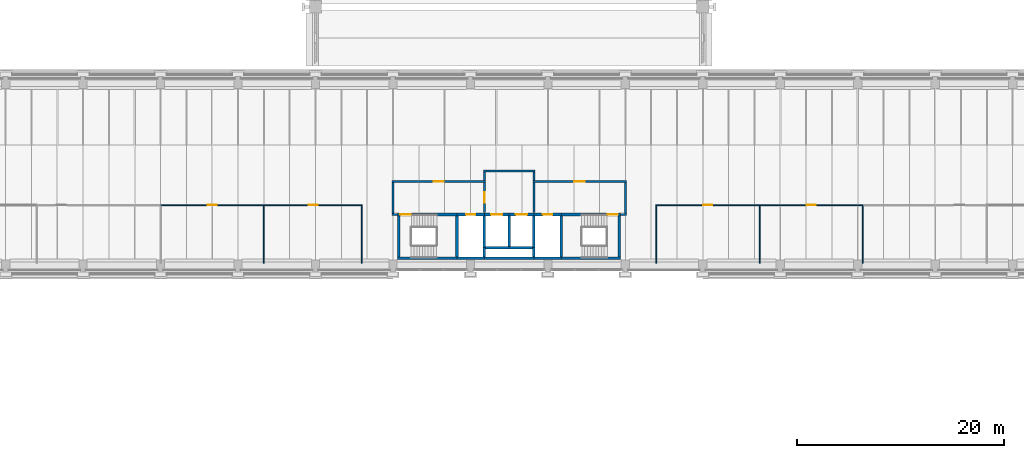
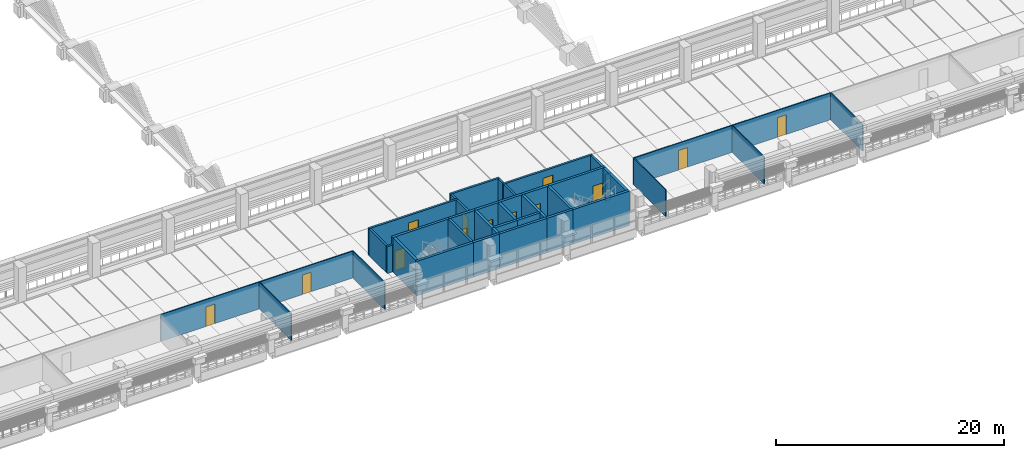
# One storey, part 31 of 71: 42 walls, 13 doors, 13 openings.
"""IFC4 building model written with IfcOpenShell, lengths in metres."""

from ifc_helpers import new_model, si_unit, direction, frame, frame_2d, origin, place, context, subcontext, project, spatial, rectangle, extrude, material, layer, layer_set, type_object, element, fill, save


model = new_model("IFC4")

# Units and contexts
model_context = context("Model", 3, precision=1e-05, world=origin(), true_north=direction((0.0, 1.0)))
body_context = subcontext(model_context, "Body", "Model", "MODEL_VIEW")
ifc_project = project(units=[si_unit("LENGTHUNIT", "METRE"), si_unit("AREAUNIT", "SQUARE_METRE"), si_unit("VOLUMEUNIT", "CUBIC_METRE"), si_unit("PLANEANGLEUNIT", "RADIAN"), si_unit("MASSUNIT", "GRAM", prefix="KILO")], contexts=[model_context])

# Site, building, storey
site_placement = place(None, origin())
site = spatial("IfcSite", under=ifc_project, at=site_placement, CompositionType="ELEMENT")
building_placement = place(site_placement, origin())
building = spatial("IfcBuilding", under=site, at=building_placement, Name="Cour d'Honneur Mobility Palace", CompositionType="ELEMENT")
storey_placement = place(building_placement, frame((0.0, 0.0, 15.60009765625)))
storey = spatial("IfcBuildingStorey", under=building, at=storey_placement, Name="L04", CompositionType="ELEMENT", Elevation=15.60009765625)

# Walls
ifc_material_1 = material(Name="Concrete C50", Category="concrete")
ifc_layer_1 = layer(ifc_material_1, 0.25)
ifc_layer_set_1 = layer_set([ifc_layer_1], Name="Concrete C50")
wall_type_1 = type_object("IfcWallType", Name="Lift shaft wall 250", PredefinedType="SHEAR", material=ifc_layer_set_1)
wall_1_placement = place(storey_placement, frame((78.875, 46.60009765625, 0.0), z_axis=(0.0, 0.0, 1.0), x_axis=(1.0, 0.0, 0.0)))
element("IfcWall", 1, at=wall_1_placement, inside=storey, type_object=wall_type_1, Name="Lift shaft wall WL-CC6 L04", PredefinedType="SHEAR", context=body_context, shape_type="SweptSolid", body=[
    extrude(rectangle(XDim=2.27490234375, YDim=0.25, at=frame_2d((1.137451171875, 0.0))), origin(), (0.0, 0.0, 1.0), 3.699951171875),
])
wall_2_placement = place(storey_placement, frame((81.14990234375, 46.60009765625, 0.0), z_axis=(0.0, 0.0, 1.0), x_axis=(1.0, 0.0, 0.0)))
element("IfcWall", 2, at=wall_2_placement, inside=storey, type_object=wall_type_1, Name="Lift shaft wall WL-CC7 L04", PredefinedType="SHEAR", context=body_context, shape_type="SweptSolid", body=[
    extrude(rectangle(XDim=2.275146484375, YDim=0.25, at=frame_2d((1.1376953125, 0.0))), origin(), (0.0, 0.0, 1.0), 3.699951171875),
])

# Wall, opening, door
wall_3_placement = place(storey_placement, frame((78.75, 49.800048828125, 0.0), z_axis=(0.0, 0.0, 1.0), x_axis=(1.0, 0.0, 0.0)))
wall_3 = element("IfcWall", 3, at=wall_3_placement, inside=storey, type_object=wall_type_1, Name="Lift shaft wall WL-CC10 L04", PredefinedType="SHEAR", context=body_context, shape_type="SweptSolid", body=[
    extrude(rectangle(XDim=2.39990234375, YDim=0.25, at=frame_2d((1.199951171875, 0.0))), origin(), (0.0, 0.0, 1.0), 3.699951171875),
])
opening_1_placement = place(wall_3_placement, frame((0.64990234375, 0.0, 0.0)))
opening_1 = element("IfcOpeningElement", 4, at=opening_1_placement, cuts=wall_3, Name="Opening LD45", PredefinedType="OPENING", context=body_context, shape_type="SweptSolid", body=[
    extrude(rectangle(XDim=1.10009765625, YDim=2.10009765625, at=frame_2d((0.550048828125, 1.050048828125))), frame((0.0, 0.135009765625, 0.0), z_axis=(0.0, -1.0, 0.0), x_axis=(1.0, 0.0, 0.0)), (0.0, 0.0, 1.0), 0.27001953125),
])
ifc_material_2 = material(Name="Stainless steel", Category="steel")
door_type_1 = type_object("IfcDoorType", Name="Landing door 1100 x 2100", OperationType="SLIDING_TO_LEFT", PredefinedType="DOOR", material=ifc_material_2)
door_1_placement = place(opening_1_placement, origin())
door_1 = element("IfcDoor", 5, at=door_1_placement, inside=storey, type_object=door_type_1, Name="Landing door LF-CC1 L04", OperationType="SLIDING_TO_LEFT", OverallHeight=2.10009765625, OverallWidth=1.10009765625, PredefinedType="DOOR", context=body_context, shape_type="SweptSolid", body=[
    extrude(rectangle(XDim=1.10009765625, YDim=2.10009765625, at=frame_2d((0.550048828125, 1.050048828125))), frame((0.0, 0.02490234375, 0.0), z_axis=(0.0, -1.0, 0.0), x_axis=(1.0, 0.0, 0.0)), (0.0, 0.0, 1.0), 0.050048828125),
])
fill(opening_1, door_1)

wall_4_placement = place(storey_placement, frame((81.14990234375, 49.800048828125, 0.0), z_axis=(0.0, 0.0, 1.0), x_axis=(1.0, 0.0, 0.0)))
wall_4 = element("IfcWall", 6, at=wall_4_placement, inside=storey, type_object=wall_type_1, Name="Lift shaft wall WL-CC11 L04", PredefinedType="SHEAR", context=body_context, shape_type="SweptSolid", body=[
    extrude(rectangle(XDim=2.400146484375, YDim=0.25, at=frame_2d((1.2001953125, 0.0))), origin(), (0.0, 0.0, 1.0), 3.699951171875),
])
opening_2_placement = place(wall_4_placement, frame((0.64990234375, 0.0, 0.0)))
opening_2 = element("IfcOpeningElement", 7, at=opening_2_placement, cuts=wall_4, Name="Opening LD51", PredefinedType="OPENING", context=body_context, shape_type="SweptSolid", body=[
    extrude(rectangle(XDim=1.10009765625, YDim=2.10009765625, at=frame_2d((0.550048828125, 1.050048828125))), frame((0.0, 0.135009765625, 0.0), z_axis=(0.0, -1.0, 0.0), x_axis=(1.0, 0.0, 0.0)), (0.0, 0.0, 1.0), 0.27001953125),
])
door_2_placement = place(opening_2_placement, origin())
door_2 = element("IfcDoor", 8, at=door_2_placement, inside=storey, type_object=door_type_1, Name="Landing door LF-CC2 L04", OperationType="SLIDING_TO_LEFT", OverallHeight=2.10009765625, OverallWidth=1.10009765625, PredefinedType="DOOR", context=body_context, shape_type="SweptSolid", body=[
    extrude(rectangle(XDim=1.10009765625, YDim=2.10009765625, at=frame_2d((0.550048828125, 1.050048828125))), frame((0.0, 0.02490234375, 0.0), z_axis=(0.0, -1.0, 0.0), x_axis=(1.0, 0.0, 0.0)), (0.0, 0.0, 1.0), 0.050048828125),
])
fill(opening_2, door_2)

# Walls
wall_5_placement = place(storey_placement, frame((78.75, 46.60009765625, 0.0), z_axis=(0.0, 0.0, 1.0), x_axis=(0.0, 1.0, 0.0)))
element("IfcWall", 9, at=wall_5_placement, inside=storey, type_object=wall_type_1, Name="Lift shaft wall WL-CC17 L04", PredefinedType="SHEAR", context=body_context, shape_type="SweptSolid", body=[
    extrude(rectangle(XDim=3.074951171875, YDim=0.25, at=frame_2d((1.53759765625, 0.0))), origin(), (0.0, 0.0, 1.0), 3.699951171875),
])
wall_6_placement = place(storey_placement, frame((81.14990234375, 46.72509765625, 0.0), z_axis=(0.0, 0.0, 1.0), x_axis=(0.0, 1.0, 0.0)))
element("IfcWall", 10, at=wall_6_placement, inside=storey, type_object=wall_type_1, Name="Lift shaft wall WL-CC18 L04", PredefinedType="SHEAR", context=body_context, shape_type="SweptSolid", body=[
    extrude(rectangle(XDim=2.949951171875, YDim=0.25, at=frame_2d((1.47509765625, 0.0))), origin(), (0.0, 0.0, 1.0), 3.699951171875),
])
wall_7_placement = place(storey_placement, frame((83.550048828125, 46.60009765625, 0.0), z_axis=(0.0, 0.0, 1.0), x_axis=(0.0, 1.0, 0.0)))
element("IfcWall", 11, at=wall_7_placement, inside=storey, type_object=wall_type_1, Name="Lift shaft wall WL-CC20 L04", PredefinedType="SHEAR", context=body_context, shape_type="SweptSolid", body=[
    extrude(rectangle(XDim=3.074951171875, YDim=0.25, at=frame_2d((1.53759765625, 0.0))), origin(), (0.0, 0.0, 1.0), 3.699951171875),
])
ifc_material_3 = material(Name="Gypsum plasterboard")
ifc_layer_2 = layer(ifc_material_3, 0.10009765625)
ifc_layer_set_2 = layer_set([ifc_layer_2], Name="Gypsum plasterboard")
wall_type_2 = type_object("IfcWallType", Name="Partition 100", PredefinedType="PARTITIONING", material=ifc_layer_set_2)
for number, where, z_axis, x_axis, name in (
    (12, (57.39990234375, 45.06005859375, 0.0), (0.0, 0.0, 1.0), (0.0, 1.0, 0.0), "Partition 021"),
    (13, (66.89990234375, 45.06005859375, 0.0), (0.0, 0.0, 1.0), (0.0, 1.0, 0.0), "Partition 022"),
):
    element("IfcWall", number, at=place(storey_placement, frame(where, z_axis=z_axis, x_axis=x_axis)), inside=storey, type_object=wall_type_2, Name=name, PredefinedType="PARTITIONING", context=body_context, shape_type="SweptSolid", body=[
        extrude(rectangle(XDim=5.58984375, YDim=0.10009765625, at=frame_2d((2.794921875, 0.0))), origin(), (0.0, 0.0, 1.0), 2.8798828125),
    ])

# Wall, opening, door
wall_8_placement = place(storey_placement, frame((57.39990234375, 50.699951171875, 0.0), z_axis=(0.0, 0.0, 1.0), x_axis=(-1.0, 0.0, 0.0)))
wall_8 = element("IfcWall", 14, at=wall_8_placement, inside=storey, type_object=wall_type_2, Name="Partition 032", PredefinedType="PARTITIONING", context=body_context, shape_type="SweptSolid", body=[
    extrude(rectangle(XDim=10.0, YDim=0.10009765625, at=frame_2d((5.0, 0.0))), origin(), (0.0, 0.0, 1.0), 2.8798828125),
])
opening_3_placement = place(wall_8_placement, frame((4.550048828125, 0.0, 0.0)))
opening_3 = element("IfcOpeningElement", 15, at=opening_3_placement, cuts=wall_8, Name="Opening D0415", PredefinedType="OPENING", context=body_context, shape_type="SweptSolid", body=[
    extrude(rectangle(XDim=0.89990234375, YDim=2.10009765625, at=frame_2d((0.449951171875, 1.050048828125))), frame((0.0, 0.06005859375, 0.0), z_axis=(0.0, -1.0, 0.0), x_axis=(1.0, 0.0, 0.0)), (0.0, 0.0, 1.0), 0.1201171875),
])
ifc_material_4 = material(Name="Solid timber", Category="wood")
door_type_2 = type_object("IfcDoorType", Name="Single door 900 x 2100", OperationType="SINGLE_SWING_LEFT", PredefinedType="DOOR", material=ifc_material_4)
door_3_placement = place(opening_3_placement, origin())
door_3 = element("IfcDoor", 16, at=door_3_placement, inside=storey, type_object=door_type_2, Name="Door Mobility Training Classroom 1", OperationType="SINGLE_SWING_RIGHT", OverallHeight=2.10009765625, OverallWidth=0.89990234375, PredefinedType="DOOR", context=body_context, shape_type="SweptSolid", body=[
    extrude(rectangle(XDim=0.89990234375, YDim=2.10009765625, at=frame_2d((0.449951171875, 1.050048828125))), frame((0.0, 0.02490234375, 0.0), z_axis=(0.0, -1.0, 0.0), x_axis=(1.0, 0.0, 0.0)), (0.0, 0.0, 1.0), 0.050048828125),
])
fill(opening_3, door_3)

wall_9_placement = place(storey_placement, frame((66.949951171875, 50.699951171875, 0.0), z_axis=(0.0, 0.0, 1.0), x_axis=(-1.0, 0.0, 0.0)))
wall_9 = element("IfcWall", 17, at=wall_9_placement, inside=storey, type_object=wall_type_2, Name="Partition 033", PredefinedType="PARTITIONING", context=body_context, shape_type="SweptSolid", body=[
    extrude(rectangle(XDim=9.550048828125, YDim=0.10009765625, at=frame_2d((4.77490234375, 0.0))), origin(), (0.0, 0.0, 1.0), 2.8798828125),
])
opening_4_placement = place(wall_9_placement, frame((4.324951171875, 0.0, 0.0)))
opening_4 = element("IfcOpeningElement", 18, at=opening_4_placement, cuts=wall_9, Name="Opening D0416", PredefinedType="OPENING", context=body_context, shape_type="SweptSolid", body=[
    extrude(rectangle(XDim=0.89990234375, YDim=2.10009765625, at=frame_2d((0.449951171875, 1.050048828125))), frame((0.0, 0.06005859375, 0.0), z_axis=(0.0, -1.0, 0.0), x_axis=(1.0, 0.0, 0.0)), (0.0, 0.0, 1.0), 0.1201171875),
])
door_4_placement = place(opening_4_placement, origin())
door_4 = element("IfcDoor", 19, at=door_4_placement, inside=storey, type_object=door_type_2, Name="Door Mobility Training Classroom 2", OperationType="SINGLE_SWING_RIGHT", OverallHeight=2.10009765625, OverallWidth=0.89990234375, PredefinedType="DOOR", context=body_context, shape_type="SweptSolid", body=[
    extrude(rectangle(XDim=0.89990234375, YDim=2.10009765625, at=frame_2d((0.449951171875, 1.050048828125))), frame((0.0, 0.02490234375, 0.0), z_axis=(0.0, -1.0, 0.0), x_axis=(1.0, 0.0, 0.0)), (0.0, 0.0, 1.0), 0.050048828125),
])
fill(opening_4, door_4)

# Walls
for number, where, z_axis, x_axis, name in (
    (20, (95.39990234375, 50.64990234375, 0.0), (0.0, 0.0, 1.0), (0.0, -1.0, 0.0), "Partition 034"),
    (21, (105.39990234375, 50.64990234375, 0.0), (0.0, 0.0, 1.0), (0.0, -1.0, 0.0), "Partition 035"),
):
    element("IfcWall", number, at=place(storey_placement, frame(where, z_axis=z_axis, x_axis=x_axis)), inside=storey, type_object=wall_type_2, Name=name, PredefinedType="PARTITIONING", context=body_context, shape_type="SweptSolid", body=[
        extrude(rectangle(XDim=5.58984375, YDim=0.10009765625, at=frame_2d((2.794921875, 0.0))), origin(), (0.0, 0.0, 1.0), 2.8798828125),
    ])

# Wall, opening, door
wall_10_placement = place(storey_placement, frame((105.39990234375, 50.699951171875, 0.0), z_axis=(0.0, 0.0, 1.0), x_axis=(-1.0, 0.0, 0.0)))
wall_10 = element("IfcWall", 22, at=wall_10_placement, inside=storey, type_object=wall_type_2, Name="Partition 036", PredefinedType="PARTITIONING", context=body_context, shape_type="SweptSolid", body=[
    extrude(rectangle(XDim=10.0498046875, YDim=0.10009765625, at=frame_2d((5.02490234375, 0.0))), origin(), (0.0, 0.0, 1.0), 2.8798828125),
])
opening_5_placement = place(wall_10_placement, frame((4.574951171875, 0.0, 0.0)))
opening_5 = element("IfcOpeningElement", 23, at=opening_5_placement, cuts=wall_10, Name="Opening D0420", PredefinedType="OPENING", context=body_context, shape_type="SweptSolid", body=[
    extrude(rectangle(XDim=0.89990234375, YDim=2.10009765625, at=frame_2d((0.449951171875, 1.050048828125))), frame((0.0, 0.06005859375, 0.0), z_axis=(0.0, -1.0, 0.0), x_axis=(1.0, 0.0, 0.0)), (0.0, 0.0, 1.0), 0.1201171875),
])
door_5_placement = place(opening_5_placement, origin())
door_5 = element("IfcDoor", 24, at=door_5_placement, inside=storey, type_object=door_type_2, Name="Door Mobility Training Classroom 4", OperationType="SINGLE_SWING_LEFT", OverallHeight=2.10009765625, OverallWidth=0.89990234375, PredefinedType="DOOR", context=body_context, shape_type="SweptSolid", body=[
    extrude(rectangle(XDim=0.89990234375, YDim=2.10009765625, at=frame_2d((0.449951171875, 1.050048828125))), frame((0.0, 0.02490234375, 0.0), z_axis=(0.0, -1.0, 0.0), x_axis=(1.0, 0.0, 0.0)), (0.0, 0.0, 1.0), 0.050048828125),
])
fill(opening_5, door_5)

# Wall
wall_11_placement = place(storey_placement, frame((115.39990234375, 50.64990234375, 0.0), z_axis=(0.0, 0.0, 1.0), x_axis=(0.0, -1.0, 0.0)))
element("IfcWall", 25, at=wall_11_placement, inside=storey, type_object=wall_type_2, Name="Partition 037", PredefinedType="PARTITIONING", context=body_context, shape_type="SweptSolid", body=[
    extrude(rectangle(XDim=5.58984375, YDim=0.10009765625, at=frame_2d((2.794921875, 0.0))), origin(), (0.0, 0.0, 1.0), 2.8798828125),
])

# Wall, opening, door
wall_12_placement = place(storey_placement, frame((115.39990234375, 50.699951171875, 0.0), z_axis=(0.0, 0.0, 1.0), x_axis=(-1.0, 0.0, 0.0)))
wall_12 = element("IfcWall", 26, at=wall_12_placement, inside=storey, type_object=wall_type_2, Name="Partition 038", PredefinedType="PARTITIONING", context=body_context, shape_type="SweptSolid", body=[
    extrude(rectangle(XDim=10.0, YDim=0.10009765625, at=frame_2d((5.0, 0.0))), origin(), (0.0, 0.0, 1.0), 2.8798828125),
])
opening_6_placement = place(wall_12_placement, frame((4.550048828125, 0.0, 0.0)))
opening_6 = element("IfcOpeningElement", 27, at=opening_6_placement, cuts=wall_12, Name="Opening D0419", PredefinedType="OPENING", context=body_context, shape_type="SweptSolid", body=[
    extrude(rectangle(XDim=0.89990234375, YDim=2.10009765625, at=frame_2d((0.449951171875, 1.050048828125))), frame((0.0, 0.06005859375, 0.0), z_axis=(0.0, -1.0, 0.0), x_axis=(1.0, 0.0, 0.0)), (0.0, 0.0, 1.0), 0.1201171875),
])
door_6_placement = place(opening_6_placement, origin())
door_6 = element("IfcDoor", 28, at=door_6_placement, inside=storey, type_object=door_type_2, Name="Door Mobility Training Classroom 3", OperationType="SINGLE_SWING_RIGHT", OverallHeight=2.10009765625, OverallWidth=0.89990234375, PredefinedType="DOOR", context=body_context, shape_type="SweptSolid", body=[
    extrude(rectangle(XDim=0.89990234375, YDim=2.10009765625, at=frame_2d((0.449951171875, 1.050048828125))), frame((0.0, 0.02490234375, 0.0), z_axis=(0.0, -1.0, 0.0), x_axis=(1.0, 0.0, 0.0)), (0.0, 0.0, 1.0), 0.050048828125),
])
fill(opening_6, door_6)

# Walls
ifc_material_5 = material(Name="Gypsum plasterboard")
ifc_layer_3 = layer(ifc_material_5, 0.199951171875)
ifc_layer_set_3 = layer_set([ifc_layer_3], Name="Gypsum plasterboard")
wall_type_3 = type_object("IfcWallType", Name="Partition 200 rated EI 120", PredefinedType="PARTITIONING", material=ifc_layer_set_3)
for number, where, z_axis, x_axis, name in (
    (29, (69.800048828125, 49.800048828125, 0.0), (0.0, 0.0, 1.0), (1.0, 0.0, 0.0), "Partition 024"),
    (30, (91.949951171875, 49.800048828125, 0.0), (0.0, 0.0, 1.0), (1.0, 0.0, 0.0), "Partition 025"),
):
    element("IfcWall", number, at=place(storey_placement, frame(where, z_axis=z_axis, x_axis=x_axis)), inside=storey, type_object=wall_type_3, Name=name, PredefinedType="PARTITIONING", context=body_context, shape_type="SweptSolid", body=[
        extrude(rectangle(XDim=0.550048828125, YDim=0.199951171875, at=frame_2d((0.27490234375, 0.0))), origin(), (0.0, 0.0, 1.0), 2.8798828125),
    ])
wall_13_placement = place(storey_placement, frame((92.39990234375, 49.89990234375, 0.0), z_axis=(0.0, 0.0, 1.0), x_axis=(0.0, 1.0, 0.0)))
element("IfcWall", 31, at=wall_13_placement, inside=storey, type_object=wall_type_3, Name="Partition 026", PredefinedType="PARTITIONING", context=body_context, shape_type="SweptSolid", body=[
    extrude(rectangle(XDim=3.0, YDim=0.199951171875, at=frame_2d((1.5, 0.0))), origin(), (0.0, 0.0, 1.0), 2.8798828125),
])

# Wall, opening, door
wall_14_placement = place(storey_placement, frame((78.75, 49.97509765625, 0.0), z_axis=(0.0, 0.0, 1.0), x_axis=(0.0, 1.0, 0.0)))
wall_14 = element("IfcWall", 32, at=wall_14_placement, inside=storey, type_object=wall_type_3, Name="Partition 027", PredefinedType="PARTITIONING", context=body_context, shape_type="SweptSolid", body=[
    extrude(rectangle(XDim=2.9248046875, YDim=0.199951171875, at=frame_2d((1.46240234375, 0.0))), origin(), (0.0, 0.0, 1.0), 2.8798828125),
])
opening_7_placement = place(wall_14_placement, frame((0.96240234375, 0.0, 0.0)))
opening_7 = element("IfcOpeningElement", 33, at=opening_7_placement, cuts=wall_14, Name="Opening D0405", PredefinedType="OPENING", context=body_context, shape_type="SweptSolid", body=[
    extrude(rectangle(XDim=1.0, YDim=2.10009765625, at=frame_2d((0.5, 1.050048828125))), frame((0.0, 0.10986328125, 0.0), z_axis=(0.0, -1.0, 0.0), x_axis=(1.0, 0.0, 0.0)), (0.0, 0.0, 1.0), 0.219970703125),
])
ifc_material_6 = material(Name="Galvanised steel", Category="steel")
door_type_3 = type_object("IfcDoorType", Name="Fire door FD120 1000 x 2100", OperationType="SINGLE_SWING_LEFT", PredefinedType="DOOR", material=ifc_material_6)
door_7_placement = place(opening_7_placement, origin())
door_7 = element("IfcDoor", 34, at=door_7_placement, inside=storey, type_object=door_type_3, Name="Door Lift Lobby CC", OperationType="SINGLE_SWING_RIGHT", OverallHeight=2.10009765625, OverallWidth=1.0, PredefinedType="DOOR", context=body_context, shape_type="SweptSolid", body=[
    extrude(rectangle(XDim=1.0, YDim=2.10009765625, at=frame_2d((0.5, 1.050048828125))), frame((0.0, 0.02490234375, 0.0), z_axis=(0.0, -1.0, 0.0), x_axis=(1.0, 0.0, 0.0)), (0.0, 0.0, 1.0), 0.050048828125),
])
fill(opening_7, door_7)

# Walls
wall_15_placement = place(storey_placement, frame((83.550048828125, 49.97509765625, 0.0), z_axis=(0.0, 0.0, 1.0), x_axis=(0.0, 1.0, 0.0)))
element("IfcWall", 35, at=wall_15_placement, inside=storey, type_object=wall_type_3, Name="Partition 028", PredefinedType="PARTITIONING", context=body_context, shape_type="SweptSolid", body=[
    extrude(rectangle(XDim=2.9248046875, YDim=0.199951171875, at=frame_2d((1.46240234375, 0.0))), origin(), (0.0, 0.0, 1.0), 2.8798828125),
])
wall_16_placement = place(storey_placement, frame((69.89990234375, 52.89990234375, 0.0), z_axis=(0.0, 0.0, 1.0), x_axis=(0.0, -1.0, 0.0)))
element("IfcWall", 36, at=wall_16_placement, inside=storey, type_object=wall_type_3, Name="Partition 049", PredefinedType="PARTITIONING", context=body_context, shape_type="SweptSolid", body=[
    extrude(rectangle(XDim=3.0, YDim=0.199951171875, at=frame_2d((1.5, 0.0))), origin(), (0.0, 0.0, 1.0), 2.8798828125),
])

# Wall, opening, door
wall_17_placement = place(storey_placement, frame((78.85009765625, 53.0, 0.0), z_axis=(0.0, 0.0, 1.0), x_axis=(-1.0, 0.0, 0.0)))
wall_17 = element("IfcWall", 37, at=wall_17_placement, inside=storey, type_object=wall_type_3, Name="Partition 050", PredefinedType="PARTITIONING", context=body_context, shape_type="SweptSolid", body=[
    extrude(rectangle(XDim=9.050048828125, YDim=0.199951171875, at=frame_2d((4.52490234375, 0.0))), origin(), (0.0, 0.0, 1.0), 2.8798828125),
])
opening_8_placement = place(wall_17_placement, frame((4.02490234375, 0.0, 0.0)))
opening_8 = element("IfcOpeningElement", 38, at=opening_8_placement, cuts=wall_17, Name="Opening D0404", PredefinedType="OPENING", context=body_context, shape_type="SweptSolid", body=[
    extrude(rectangle(XDim=1.0, YDim=2.10009765625, at=frame_2d((0.5, 1.050048828125))), frame((0.0, 0.10986328125, 0.0), z_axis=(0.0, -1.0, 0.0), x_axis=(1.0, 0.0, 0.0)), (0.0, 0.0, 1.0), 0.219970703125),
])
door_8_placement = place(opening_8_placement, origin())
door_8 = element("IfcDoor", 39, at=door_8_placement, inside=storey, type_object=door_type_3, Name="Door Stair Lobby CC West", OperationType="SINGLE_SWING_LEFT", OverallHeight=2.10009765625, OverallWidth=1.0, PredefinedType="DOOR", context=body_context, shape_type="SweptSolid", body=[
    extrude(rectangle(XDim=1.0, YDim=2.10009765625, at=frame_2d((0.5, 1.050048828125))), frame((0.0, 0.02490234375, 0.0), z_axis=(0.0, -1.0, 0.0), x_axis=(1.0, 0.0, 0.0)), (0.0, 0.0, 1.0), 0.050048828125),
])
fill(opening_8, door_8)

# Wall
wall_18_placement = place(storey_placement, frame((83.550048828125, 53.10009765625, 0.0), z_axis=(0.0, 0.0, 1.0), x_axis=(0.0, 1.0, 0.0)))
element("IfcWall", 40, at=wall_18_placement, inside=storey, type_object=wall_type_3, Name="Partition 051", PredefinedType="PARTITIONING", context=body_context, shape_type="SweptSolid", body=[
    extrude(rectangle(XDim=0.7998046875, YDim=0.199951171875, at=frame_2d((0.39990234375, 0.0))), origin(), (0.0, 0.0, 1.0), 2.8798828125),
])

# Wall, opening, door
wall_19_placement = place(storey_placement, frame((92.5, 53.0, 0.0), z_axis=(0.0, 0.0, 1.0), x_axis=(-1.0, 0.0, 0.0)))
wall_19 = element("IfcWall", 41, at=wall_19_placement, inside=storey, type_object=wall_type_3, Name="Partition 052", PredefinedType="PARTITIONING", context=body_context, shape_type="SweptSolid", body=[
    extrude(rectangle(XDim=9.050048828125, YDim=0.199951171875, at=frame_2d((4.52490234375, 0.0))), origin(), (0.0, 0.0, 1.0), 2.8798828125),
])
opening_9_placement = place(wall_19_placement, frame((4.02490234375, 0.0, 0.0)))
opening_9 = element("IfcOpeningElement", 42, at=opening_9_placement, cuts=wall_19, Name="Opening D0406", PredefinedType="OPENING", context=body_context, shape_type="SweptSolid", body=[
    extrude(rectangle(XDim=1.0, YDim=2.10009765625, at=frame_2d((0.5, 1.050048828125))), frame((0.0, 0.10986328125, 0.0), z_axis=(0.0, -1.0, 0.0), x_axis=(1.0, 0.0, 0.0)), (0.0, 0.0, 1.0), 0.219970703125),
])
door_9_placement = place(opening_9_placement, origin())
door_9 = element("IfcDoor", 43, at=door_9_placement, inside=storey, type_object=door_type_3, Name="Door Stair Lobby CC East", OperationType="SINGLE_SWING_RIGHT", OverallHeight=2.10009765625, OverallWidth=1.0, PredefinedType="DOOR", context=body_context, shape_type="SweptSolid", body=[
    extrude(rectangle(XDim=1.0, YDim=2.10009765625, at=frame_2d((0.5, 1.050048828125))), frame((0.0, 0.02490234375, 0.0), z_axis=(0.0, -1.0, 0.0), x_axis=(1.0, 0.0, 0.0)), (0.0, 0.0, 1.0), 0.050048828125),
])
fill(opening_9, door_9)

# Walls
wall_20_placement = place(storey_placement, frame((78.75, 53.89990234375, 0.0), z_axis=(0.0, 0.0, 1.0), x_axis=(0.0, -1.0, 0.0)))
element("IfcWall", 44, at=wall_20_placement, inside=storey, type_object=wall_type_3, Name="Partition 053", PredefinedType="PARTITIONING", context=body_context, shape_type="SweptSolid", body=[
    extrude(rectangle(XDim=0.7998046875, YDim=0.199951171875, at=frame_2d((0.39990234375, 0.0))), origin(), (0.0, 0.0, 1.0), 2.8798828125),
])
wall_21_placement = place(storey_placement, frame((83.64990234375, 54.0, 0.0), z_axis=(0.0, 0.0, 1.0), x_axis=(-1.0, 0.0, 0.0)))
element("IfcWall", 45, at=wall_21_placement, inside=storey, type_object=wall_type_3, Name="Partition 054", PredefinedType="PARTITIONING", context=body_context, shape_type="SweptSolid", body=[
    extrude(rectangle(XDim=5.0, YDim=0.199951171875, at=frame_2d((2.5, 0.0))), origin(), (0.0, 0.0, 1.0), 2.8798828125),
])
ifc_material_7 = material(Name="Concrete C50", Category="concrete")
ifc_layer_4 = layer(ifc_material_7, 0.25)
ifc_layer_set_4 = layer_set([ifc_layer_4], Name="Concrete C50")
wall_type_4 = type_object("IfcWallType", Name="Shaft wall 250", PredefinedType="SHEAR", material=ifc_layer_set_4)
wall_22_placement = place(storey_placement, frame((76.10009765625, 45.574951171875, 0.0), z_axis=(0.0, 0.0, 1.0), x_axis=(1.0, 0.0, 0.0)))
element("IfcWall", 46, at=wall_22_placement, inside=storey, type_object=wall_type_4, Name="Shaft wall WR-CC2 L04", PredefinedType="SHEAR", context=body_context, shape_type="SweptSolid", body=[
    extrude(rectangle(XDim=2.64990234375, YDim=0.25, at=frame_2d((1.324951171875, 0.0))), origin(), (0.0, 0.0, 1.0), 3.699951171875),
])
wall_23_placement = place(storey_placement, frame((78.75, 45.574951171875, 0.0), z_axis=(0.0, 0.0, 1.0), x_axis=(1.0, 0.0, 0.0)))
element("IfcWall", 47, at=wall_23_placement, inside=storey, type_object=wall_type_4, Name="Shaft wall WR-CC3 L04", PredefinedType="SHEAR", context=body_context, shape_type="SweptSolid", body=[
    extrude(rectangle(XDim=4.800048828125, YDim=0.25, at=frame_2d((2.39990234375, 0.0))), origin(), (0.0, 0.0, 1.0), 3.699951171875),
])
wall_24_placement = place(storey_placement, frame((83.550048828125, 45.574951171875, 0.0), z_axis=(0.0, 0.0, 1.0), x_axis=(1.0, 0.0, 0.0)))
element("IfcWall", 48, at=wall_24_placement, inside=storey, type_object=wall_type_4, Name="Shaft wall WR-CC4 L04", PredefinedType="SHEAR", context=body_context, shape_type="SweptSolid", body=[
    extrude(rectangle(XDim=2.64990234375, YDim=0.25, at=frame_2d((1.324951171875, 0.0))), origin(), (0.0, 0.0, 1.0), 3.699951171875),
])

# Wall, opening, door
wall_25_placement = place(storey_placement, frame((76.10009765625, 49.800048828125, 0.0), z_axis=(0.0, 0.0, 1.0), x_axis=(1.0, 0.0, 0.0)))
wall_25 = element("IfcWall", 49, at=wall_25_placement, inside=storey, type_object=wall_type_4, Name="Shaft wall WR-CC9 L04", PredefinedType="SHEAR", context=body_context, shape_type="SweptSolid", body=[
    extrude(rectangle(XDim=2.64990234375, YDim=0.25, at=frame_2d((1.324951171875, 0.0))), origin(), (0.0, 0.0, 1.0), 3.699951171875),
])
opening_10_placement = place(wall_25_placement, frame((0.875, 0.0, 0.0)))
opening_10 = element("IfcOpeningElement", 50, at=opening_10_placement, cuts=wall_25, Name="Opening R5", PredefinedType="OPENING", context=body_context, shape_type="SweptSolid", body=[
    extrude(rectangle(XDim=0.89990234375, YDim=2.10009765625, at=frame_2d((0.449951171875, 1.050048828125))), frame((0.0, 0.135009765625, 0.0), z_axis=(0.0, -1.0, 0.0), x_axis=(1.0, 0.0, 0.0)), (0.0, 0.0, 1.0), 0.27001953125),
])
ifc_material_8 = material(Name="Galvanised steel", Category="steel")
door_type_4 = type_object("IfcDoorType", Name="Riser door FD120 900 x 2100", OperationType="SINGLE_SWING_LEFT", PredefinedType="DOOR", material=ifc_material_8)
door_10_placement = place(opening_10_placement, origin())
door_10 = element("IfcDoor", 51, at=door_10_placement, inside=storey, type_object=door_type_4, Name="Riser door CC.R1 L04", OperationType="SINGLE_SWING_LEFT", OverallHeight=2.10009765625, OverallWidth=0.89990234375, PredefinedType="DOOR", context=body_context, shape_type="SweptSolid", body=[
    extrude(rectangle(XDim=0.89990234375, YDim=2.10009765625, at=frame_2d((0.449951171875, 1.050048828125))), frame((0.0, 0.02490234375, 0.0), z_axis=(0.0, -1.0, 0.0), x_axis=(1.0, 0.0, 0.0)), (0.0, 0.0, 1.0), 0.050048828125),
])
fill(opening_10, door_10)

wall_26_placement = place(storey_placement, frame((83.550048828125, 49.800048828125, 0.0), z_axis=(0.0, 0.0, 1.0), x_axis=(1.0, 0.0, 0.0)))
wall_26 = element("IfcWall", 52, at=wall_26_placement, inside=storey, type_object=wall_type_4, Name="Shaft wall WR-CC12 L04", PredefinedType="SHEAR", context=body_context, shape_type="SweptSolid", body=[
    extrude(rectangle(XDim=2.64990234375, YDim=0.25, at=frame_2d((1.324951171875, 0.0))), origin(), (0.0, 0.0, 1.0), 3.699951171875),
])
opening_11_placement = place(wall_26_placement, frame((0.875, 0.0, 0.0)))
opening_11 = element("IfcOpeningElement", 53, at=opening_11_placement, cuts=wall_26, Name="Opening R11", PredefinedType="OPENING", context=body_context, shape_type="SweptSolid", body=[
    extrude(rectangle(XDim=0.89990234375, YDim=2.10009765625, at=frame_2d((0.449951171875, 1.050048828125))), frame((0.0, 0.135009765625, 0.0), z_axis=(0.0, -1.0, 0.0), x_axis=(1.0, 0.0, 0.0)), (0.0, 0.0, 1.0), 0.27001953125),
])
door_11_placement = place(opening_11_placement, origin())
door_11 = element("IfcDoor", 54, at=door_11_placement, inside=storey, type_object=door_type_4, Name="Riser door CC.R2 L04", OperationType="SINGLE_SWING_LEFT", OverallHeight=2.10009765625, OverallWidth=0.89990234375, PredefinedType="DOOR", context=body_context, shape_type="SweptSolid", body=[
    extrude(rectangle(XDim=0.89990234375, YDim=2.10009765625, at=frame_2d((0.449951171875, 1.050048828125))), frame((0.0, 0.02490234375, 0.0), z_axis=(0.0, -1.0, 0.0), x_axis=(1.0, 0.0, 0.0)), (0.0, 0.0, 1.0), 0.050048828125),
])
fill(opening_11, door_11)

# Walls
for number, where, z_axis, x_axis, name in (
    (55, (78.75, 45.699951171875, 0.0), (0.0, 0.0, 1.0), (0.0, 1.0, 0.0), "Shaft wall WR-CC16 L04"),
    (56, (83.550048828125, 45.699951171875, 0.0), (0.0, 0.0, 1.0), (0.0, 1.0, 0.0), "Shaft wall WR-CC19 L04"),
):
    element("IfcWall", number, at=place(storey_placement, frame(where, z_axis=z_axis, x_axis=x_axis)), inside=storey, type_object=wall_type_4, Name=name, PredefinedType="SHEAR", context=body_context, shape_type="SweptSolid", body=[
        extrude(rectangle(XDim=0.900146484375, YDim=0.25, at=frame_2d((0.4501953125, 0.0))), origin(), (0.0, 0.0, 1.0), 3.699951171875),
    ])
ifc_material_9 = material(Name="Concrete C50", Category="concrete")
ifc_layer_5 = layer(ifc_material_9, 0.25)
ifc_layer_set_5 = layer_set([ifc_layer_5], Name="Concrete C50")
wall_type_5 = type_object("IfcWallType", Name="Stair wall 250", PredefinedType="SHEAR", material=ifc_layer_set_5)
for number, where, z_axis, x_axis, name in (
    (57, (70.35009765625, 45.574951171875, 0.0), (0.0, 0.0, 1.0), (1.0, 0.0, 0.0), "Stair wall WS-CC1 L04"),
    (58, (86.199951171875, 45.574951171875, 0.0), (0.0, 0.0, 1.0), (1.0, 0.0, 0.0), "Stair wall WS-CC5 L04"),
):
    element("IfcWall", number, at=place(storey_placement, frame(where, z_axis=z_axis, x_axis=x_axis)), inside=storey, type_object=wall_type_5, Name=name, PredefinedType="SHEAR", context=body_context, shape_type="SweptSolid", body=[
        extrude(rectangle(XDim=5.75, YDim=0.25, at=frame_2d((2.875, 0.0))), origin(), (0.0, 0.0, 1.0), 3.699951171875),
    ])

# Wall, opening, door
wall_27_placement = place(storey_placement, frame((70.35009765625, 49.800048828125, 0.0), z_axis=(0.0, 0.0, 1.0), x_axis=(1.0, 0.0, 0.0)))
wall_27 = element("IfcWall", 59, at=wall_27_placement, inside=storey, type_object=wall_type_5, Name="Stair wall WS-CC8 L04", PredefinedType="SHEAR", context=body_context, shape_type="SweptSolid", body=[
    extrude(rectangle(XDim=5.75, YDim=0.25, at=frame_2d((2.875, 0.0))), origin(), (0.0, 0.0, 1.0), 3.699951171875),
])
opening_12_placement = place(wall_27_placement, frame((0.27490234375, 0.0, 0.0)))
opening_12 = element("IfcOpeningElement", 60, at=opening_12_placement, cuts=wall_27, Name="Opening S89", PredefinedType="OPENING", context=body_context, shape_type="SweptSolid", body=[
    extrude(rectangle(XDim=1.0, YDim=2.10009765625, at=frame_2d((0.5, 1.050048828125))), frame((0.0, 0.135009765625, 0.0), z_axis=(0.0, -1.0, 0.0), x_axis=(1.0, 0.0, 0.0)), (0.0, 0.0, 1.0), 0.27001953125),
])
ifc_material_10 = material(Name="Galvanised steel", Category="steel")
door_type_5 = type_object("IfcDoorType", Name="Fire door FD120 stair 1000 x 2100", OperationType="SINGLE_SWING_LEFT", PredefinedType="DOOR", material=ifc_material_10)
door_12_placement = place(opening_12_placement, origin())
door_12 = element("IfcDoor", 61, at=door_12_placement, inside=storey, type_object=door_type_5, Name="Stair door ST-CC1 L04", OperationType="SINGLE_SWING_LEFT", OverallHeight=2.10009765625, OverallWidth=1.0, PredefinedType="DOOR", context=body_context, shape_type="SweptSolid", body=[
    extrude(rectangle(XDim=1.0, YDim=2.10009765625, at=frame_2d((0.5, 1.050048828125))), frame((0.0, 0.02490234375, 0.0), z_axis=(0.0, -1.0, 0.0), x_axis=(1.0, 0.0, 0.0)), (0.0, 0.0, 1.0), 0.050048828125),
])
fill(opening_12, door_12)

wall_28_placement = place(storey_placement, frame((86.199951171875, 49.800048828125, 0.0), z_axis=(0.0, 0.0, 1.0), x_axis=(1.0, 0.0, 0.0)))
wall_28 = element("IfcWall", 62, at=wall_28_placement, inside=storey, type_object=wall_type_5, Name="Stair wall WS-CC13 L04", PredefinedType="SHEAR", context=body_context, shape_type="SweptSolid", body=[
    extrude(rectangle(XDim=5.75, YDim=0.25, at=frame_2d((2.875, 0.0))), origin(), (0.0, 0.0, 1.0), 3.699951171875),
])
opening_13_placement = place(wall_28_placement, frame((4.47509765625, 0.0, 0.0)))
opening_13 = element("IfcOpeningElement", 63, at=opening_13_placement, cuts=wall_28, Name="Opening S95", PredefinedType="OPENING", context=body_context, shape_type="SweptSolid", body=[
    extrude(rectangle(XDim=1.0, YDim=2.10009765625, at=frame_2d((0.5, 1.050048828125))), frame((0.0, 0.135009765625, 0.0), z_axis=(0.0, -1.0, 0.0), x_axis=(1.0, 0.0, 0.0)), (0.0, 0.0, 1.0), 0.27001953125),
])
door_13_placement = place(opening_13_placement, origin())
door_13 = element("IfcDoor", 64, at=door_13_placement, inside=storey, type_object=door_type_5, Name="Stair door ST-CC2 L04", OperationType="SINGLE_SWING_RIGHT", OverallHeight=2.10009765625, OverallWidth=1.0, PredefinedType="DOOR", context=body_context, shape_type="SweptSolid", body=[
    extrude(rectangle(XDim=1.0, YDim=2.10009765625, at=frame_2d((0.5, 1.050048828125))), frame((0.0, 0.02490234375, 0.0), z_axis=(0.0, -1.0, 0.0), x_axis=(1.0, 0.0, 0.0)), (0.0, 0.0, 1.0), 0.050048828125),
])
fill(opening_13, door_13)

# Walls
for number, where, z_axis, x_axis, name in (
    (65, (70.47509765625, 45.699951171875, 0.0), (0.0, 0.0, 1.0), (0.0, 1.0, 0.0), "Stair wall WS-CC14 L04"),
    (66, (76.10009765625, 45.699951171875, 0.0), (0.0, 0.0, 1.0), (0.0, 1.0, 0.0), "Stair wall WS-CC15 L04"),
    (67, (86.199951171875, 45.699951171875, 0.0), (0.0, 0.0, 1.0), (0.0, 1.0, 0.0), "Stair wall WS-CC21 L04"),
    (68, (91.824951171875, 45.699951171875, 0.0), (0.0, 0.0, 1.0), (0.0, 1.0, 0.0), "Stair wall WS-CC22 L04"),
):
    element("IfcWall", number, at=place(storey_placement, frame(where, z_axis=z_axis, x_axis=x_axis)), inside=storey, type_object=wall_type_5, Name=name, PredefinedType="SHEAR", context=body_context, shape_type="SweptSolid", body=[
        extrude(rectangle(XDim=3.97509765625, YDim=0.25, at=frame_2d((1.987548828125, 0.0))), origin(), (0.0, 0.0, 1.0), 3.699951171875),
    ])

save(model, "model.ifc")
